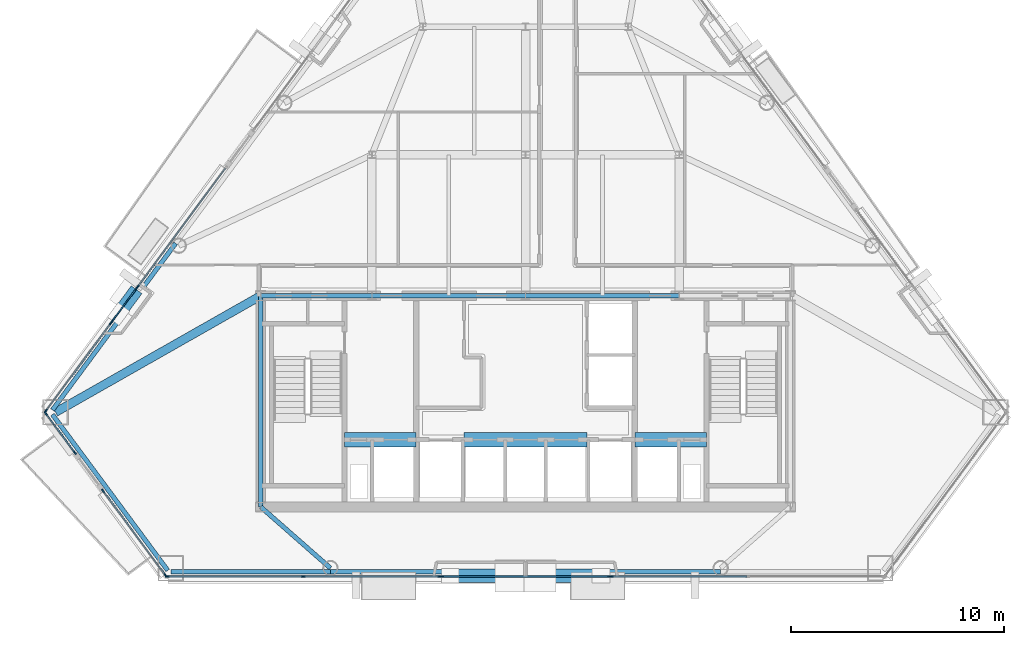
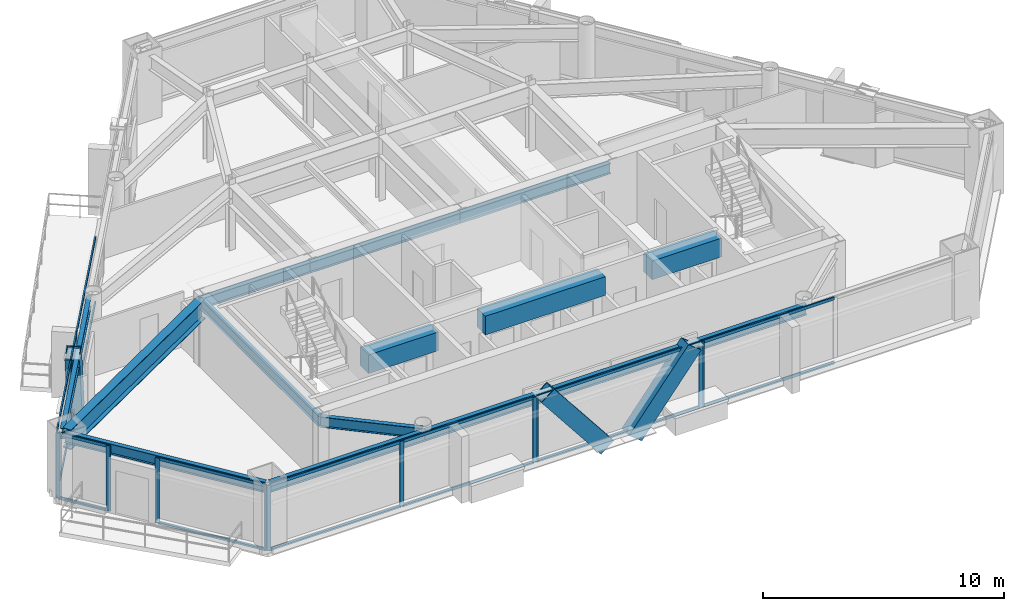
# One storey, part 3 of 11: 36 members, 13 beams, 8 elements without a shape of their own.
"""IFC4 building model written with IfcOpenShell, lengths in metres."""

from ifc_helpers import new_model, si_unit, direction, frame, origin, origin_2d, place, context, subcontext, project, spatial, rectangle, hollow_rectangle, i_section, extrude, material, layer, layer_set, material_profile, profile_set, type_object, element, aggregate, save


model = new_model("IFC4")

# Units and contexts
model_context = context("Model", 3, precision=1e-05, world=origin(), true_north=direction((0.0, 1.0)))
body_context = subcontext(model_context, "Body", "Model", "MODEL_VIEW")
ifc_project = project(units=[si_unit("LENGTHUNIT", "METRE"), si_unit("AREAUNIT", "SQUARE_METRE"), si_unit("VOLUMEUNIT", "CUBIC_METRE"), si_unit("PLANEANGLEUNIT", "RADIAN"), si_unit("MASSUNIT", "GRAM", prefix="KILO")], contexts=[model_context])

# Site, building, storey
site_placement = place(None, origin())
site = spatial("IfcSite", under=ifc_project, at=site_placement, CompositionType="ELEMENT")
building_placement = place(site_placement, origin())
building = spatial("IfcBuilding", under=site, at=building_placement, Name="Talgorran Terracotta Tower", CompositionType="ELEMENT")
storey_placement = place(building_placement, frame((0.0, 0.0, 114.0)))
storey = spatial("IfcBuildingStorey", under=building, at=storey_placement, Name="L29", CompositionType="ELEMENT", Elevation=114.0)

# Beams
ifc_material_1 = material(Name="Steel Grade 350 (350L0)", Category="steel")
ifc_material_profile_1 = material_profile(ifc_material_1, i_section(OverallWidth=0.39990234375, OverallDepth=1.0, WebThickness=0.01611328125, FlangeThickness=0.031005859375, at=origin_2d()), Name="1000WB296")
ifc_profile_set_1 = profile_set([ifc_material_profile_1], Name="Steel Grade 350 (350L0)")
beam_type_1 = type_object("IfcBeamType", Name="BM_1000WB296", PredefinedType="BEAM", material=ifc_profile_set_1)
beam_1_placement = place(storey_placement, frame((-12.39990234375, -4.199951171875, 2.820068359375), z_axis=(-0.869581927132, -0.493788691654, 0.0), x_axis=(0.493788691654, -0.869581927132, 0.0)))
element("IfcBeam", 1, at=beam_1_placement, inside=storey, type_object=beam_type_1, Name="L29 Floor Girder G17", PredefinedType="BEAM", context=body_context, shape_type="SweptSolid", body=[
    extrude(i_section(OverallWidth=0.39990234375, OverallDepth=1.0, WebThickness=0.01611328125, FlangeThickness=0.031005859375, at=origin_2d()), origin(), (0.0, 0.0, 1.0), 11.061279296875),
])
ifc_material_2 = material(Name="Concrete C65/80", Category="concrete")
ifc_material_profile_2 = material_profile(ifc_material_2, rectangle(XDim=0.699951171875, YDim=0.949951171875, at=origin_2d()), Name="RCCB700X950")
ifc_profile_set_2 = profile_set([ifc_material_profile_2], Name="Concrete C65/80")
beam_type_2 = type_object("IfcBeamType", Name="BM_CB_700X950", PredefinedType="LINTEL", material=ifc_profile_set_2)
beam_2_placement = place(storey_placement, frame((-8.47998046875, -10.949951171875, 2.844970703125), z_axis=(1.0, 0.0, 0.0), x_axis=(0.0, 1.0, 0.0)))
element("IfcBeam", 2, at=beam_2_placement, inside=storey, type_object=beam_type_2, Name="L29 Core Shear-Wall Coupling Beam CB1", PredefinedType="LINTEL", context=body_context, shape_type="SweptSolid", body=[
    extrude(rectangle(XDim=0.699951171875, YDim=0.949951171875, at=origin_2d()), origin(), (0.0, 0.0, 1.0), 3.35986328125),
])
beam_3_placement = place(storey_placement, frame((-2.8798828125, -10.949951171875, 2.844970703125), z_axis=(1.0, 0.0, 0.0), x_axis=(0.0, 1.0, 0.0)))
element("IfcBeam", 3, at=beam_3_placement, inside=storey, type_object=beam_type_2, Name="L29 Core Shear-Wall Coupling Beam CB2", PredefinedType="LINTEL", context=body_context, shape_type="SweptSolid", body=[
    extrude(rectangle(XDim=0.699951171875, YDim=0.949951171875, at=origin_2d()), origin(), (0.0, 0.0, 1.0), 5.759765625),
])
beam_4_placement = place(storey_placement, frame((5.1201171875, -10.949951171875, 2.844970703125), z_axis=(1.0, 0.0, 0.0), x_axis=(0.0, 1.0, 0.0)))
element("IfcBeam", 4, at=beam_4_placement, inside=storey, type_object=beam_type_2, Name="L29 Core Shear-Wall Coupling Beam CB3", PredefinedType="LINTEL", context=body_context, shape_type="SweptSolid", body=[
    extrude(rectangle(XDim=0.699951171875, YDim=0.949951171875, at=origin_2d()), origin(), (0.0, 0.0, 1.0), 3.35986328125),
])
ifc_material_3 = material(Name="Steel S355 (300PLUS)", Category="steel")
ifc_material_profile_3 = material_profile(ifc_material_3, i_section(OverallWidth=0.209228515625, OverallDepth=0.532958984375, WebThickness=0.01025390625, FlangeThickness=0.015625, at=origin_2d()), Name="530UB92.4")
ifc_profile_set_3 = profile_set([ifc_material_profile_3], Name="Steel S355 (300PLUS)")
beam_type_3 = type_object("IfcBeamType", Name="BM_SP_530UB92", PredefinedType="SPANDREL", material=ifc_profile_set_3)
beam_5_placement = place(storey_placement, frame((-22.1630859375, -9.768798828125, 3.053466796875), z_axis=(0.594631406603, -0.803998439228, 0.0), x_axis=(0.803998439228, 0.594631406603, 0.0)))
element("IfcBeam", 5, at=beam_5_placement, inside=storey, type_object=beam_type_3, Name="L29 Perimeter Spandrel Beam MC1-MC2", PredefinedType="SPANDREL", context=body_context, shape_type="SweptSolid", body=[
    extrude(i_section(OverallWidth=0.209228515625, OverallDepth=0.532958984375, WebThickness=0.01025390625, FlangeThickness=0.015625, at=origin_2d()), origin(), (0.0, 0.0, 1.0), 9.08154296875),
])
beam_6_placement = place(storey_placement, frame((-16.618408203125, -17.143310546875, 3.053466796875), z_axis=(1.0, 0.0, 0.0), x_axis=(0.0, 1.0, 0.0)))
element("IfcBeam", 6, at=beam_6_placement, inside=storey, type_object=beam_type_3, Name="L29 Perimeter Spandrel Beam MC2-FC1", PredefinedType="SPANDREL", context=body_context, shape_type="SweptSolid", body=[
    extrude(i_section(OverallWidth=0.209228515625, OverallDepth=0.532958984375, WebThickness=0.01025390625, FlangeThickness=0.015625, at=origin_2d()), origin(), (0.0, 0.0, 1.0), 7.478271484375),
])
beam_7_placement = place(storey_placement, frame((-9.14013671875, -17.143310546875, 3.053466796875), z_axis=(1.0, 0.0, 0.0), x_axis=(0.0, 1.0, 0.0)))
element("IfcBeam", 7, at=beam_7_placement, inside=storey, type_object=beam_type_3, Name="L29 Perimeter Spandrel Beam FC1-FC2", PredefinedType="SPANDREL", context=body_context, shape_type="SweptSolid", body=[
    extrude(i_section(OverallWidth=0.209228515625, OverallDepth=0.532958984375, WebThickness=0.01025390625, FlangeThickness=0.015625, at=origin_2d()), origin(), (0.0, 0.0, 1.0), 18.2802734375),
])
beam_8_placement = place(storey_placement, frame((-16.3896484375, -1.74853515625, 3.053466796875), z_axis=(-0.594623640759, -0.804004182732, 0.0), x_axis=(0.804004182732, -0.594623640759, 0.0)))
element("IfcBeam", 8, at=beam_8_placement, inside=storey, type_object=beam_type_3, Name="L29 Perimeter Spandrel Beam FC6-MC1", PredefinedType="SPANDREL", context=body_context, shape_type="SweptSolid", body=[
    extrude(i_section(OverallWidth=0.209228515625, OverallDepth=0.532958984375, WebThickness=0.01025390625, FlangeThickness=0.015625, at=origin_2d()), origin(), (0.0, 0.0, 1.0), 9.70947265625),
])
beam_9_placement = place(storey_placement, frame((-9.14013671875, -16.96337890625, 3.053466796875), z_axis=(-0.751320451725, 0.659937556758, 0.0), x_axis=(-0.659937556758, -0.751320451725, 0.0)))
element("IfcBeam", 9, at=beam_9_placement, inside=storey, type_object=beam_type_3, Name="L29 South-West Core Tie Beam", PredefinedType="SPANDREL", context=body_context, shape_type="SweptSolid", body=[
    extrude(i_section(OverallWidth=0.209228515625, OverallDepth=0.532958984375, WebThickness=0.01025390625, FlangeThickness=0.015625, at=origin_2d()), origin(), (0.0, 0.0, 1.0), 4.338623046875),
])
beam_10_placement = place(storey_placement, frame((-12.39990234375, -14.10009765625, 3.053466796875), z_axis=(0.0, 1.0, 0.0), x_axis=(-1.0, 0.0, 0.0)))
element("IfcBeam", 10, at=beam_10_placement, inside=storey, type_object=beam_type_3, Name="L29 Core Frame Beam CFW", PredefinedType="SPANDREL", context=body_context, shape_type="SweptSolid", body=[
    extrude(i_section(OverallWidth=0.209228515625, OverallDepth=0.532958984375, WebThickness=0.01025390625, FlangeThickness=0.015625, at=origin_2d()), origin(), (0.0, 0.0, 1.0), 9.900146484375),
])
beam_11_placement = place(storey_placement, frame((-12.39990234375, -4.199951171875, 3.053466796875), z_axis=(1.0, 0.0, 0.0), x_axis=(0.0, 1.0, 0.0)))
element("IfcBeam", 11, at=beam_11_placement, inside=storey, type_object=beam_type_3, Name="L29 Core Frame Beam CFN1", PredefinedType="SPANDREL", context=body_context, shape_type="SweptSolid", body=[
    extrude(i_section(OverallWidth=0.209228515625, OverallDepth=0.532958984375, WebThickness=0.01025390625, FlangeThickness=0.015625, at=origin_2d()), origin(), (0.0, 0.0, 1.0), 5.199951171875),
])
for number, where, z_axis, x_axis, name in (
    (12, (-7.199951171875, -4.199951171875, 3.053466796875), (1.0, 0.0, 0.0), (0.0, 1.0, 0.0), "L29 Core Frame Beam CFN2"),
    (13, (0.0, -4.199951171875, 3.053466796875), (1.0, 0.0, 0.0), (0.0, 1.0, 0.0), "L29 Core Frame Beam CFN3"),
):
    element("IfcBeam", number, at=place(storey_placement, frame(where, z_axis=z_axis, x_axis=x_axis)), inside=storey, type_object=beam_type_3, Name=name, PredefinedType="SPANDREL", context=body_context, shape_type="SweptSolid", body=[
        extrude(i_section(OverallWidth=0.209228515625, OverallDepth=0.532958984375, WebThickness=0.01025390625, FlangeThickness=0.015625, at=origin_2d()), origin(), (0.0, 0.0, 1.0), 7.199951171875),
    ])

# Members
ifc_material_profile_4 = material_profile(ifc_material_1, hollow_rectangle(XDim=0.6201171875, YDim=0.780029296875, WallThickness=0.0419921875, at=origin_2d()), Name="WBOX780X620X42")
ifc_profile_set_4 = profile_set([ifc_material_profile_4], Name="Steel Grade 350 (350L0)")
member_type_1 = type_object("IfcMemberType", Name="MB_MEGA_780", PredefinedType="BRACE", material=ifc_profile_set_4)
for number, where, z_axis, x_axis, name in (
    (14, (-0.672119140625, -17.3232421875, -0.27001953125), (-0.619914010689, 0.0, 0.784669751776), (0.0, -1.0, 0.0), "L29 Exterior Face Mega-Brace MB-2 (SWF)"),
    (15, (0.672119140625, -17.3232421875, -0.27001953125), (0.619914010689, 0.0, 0.784669751776), (0.0, 1.0, 0.0), "L29 Exterior Face Mega-Brace MB-2 (SEF)"),
):
    element("IfcMember", number, at=place(storey_placement, frame(where, z_axis=z_axis, x_axis=x_axis)), inside=storey, type_object=member_type_1, Name=name, PredefinedType="BRACE", context=body_context, shape_type="SweptSolid", body=[
        extrude(hollow_rectangle(XDim=0.6201171875, YDim=0.780029296875, WallThickness=0.0419921875, at=origin_2d()), origin(), (0.0, 0.0, 1.0), 4.60693359375),
    ])
member_1_placement = place(storey_placement, frame((-18.443359375, -4.22265625, -0.27001953125), z_axis=(-0.164883141655, -0.222829086361, 0.960812545645), x_axis=(0.803859807908, -0.594818803696, 0.0)))
element("IfcMember", 16, at=member_1_placement, inside=storey, type_object=member_type_1, Name="L29 Exterior Face Mega-Brace MB-2 (NWL)", PredefinedType="BRACE", context=body_context, shape_type="SweptSolid", body=[
    extrude(hollow_rectangle(XDim=0.6201171875, YDim=0.780029296875, WallThickness=0.0419921875, at=origin_2d()), origin(), (0.0, 0.0, 1.0), 3.762451171875),
])

# Curtain wall, members
ifc_material_4 = material(Name="Unitised Low-E Double Glazing", Category="glass")
ifc_layer = layer(ifc_material_4, 0.199951171875, Name="CW_SYS2_RES_LOW")
ifc_layer_set = layer_set([ifc_layer], Name="Unitised Low-E Double Glazing")
curtain_wall_type = type_object("IfcCurtainWallType", Name="CW_SYS2_RES_LOW", PredefinedType="NOTDEFINED", material=ifc_layer_set)
curtain_wall_1_placement = place(storey_placement, origin())
curtain_wall_1 = element("IfcCurtainWall", 17, at=curtain_wall_1_placement, inside=storey, type_object=curtain_wall_type, Name="CW-L29-F10", PredefinedType="NOTDEFINED")
ifc_material_5 = material(Name="Architectural Aluminium 6063-T6", Category="aluminium")
ifc_material_profile_5 = material_profile(ifc_material_5, rectangle(XDim=0.06494140625, YDim=0.18505859375, at=origin_2d()), Name="CWM65X185")
ifc_profile_set_5 = profile_set([ifc_material_profile_5], Name="Architectural Aluminium 6063-T6")
member_type_2 = type_object("IfcMemberType", Name="MUL_65X185", PredefinedType="MULLION", material=ifc_profile_set_5)
member_2_placement = place(storey_placement, frame((-22.472900390625, -9.72021484375, 0.0), z_axis=(0.0, 0.0, 1.0), x_axis=(0.803984869726, 0.594649753428, 0.0)))
member_2 = element("IfcMember", 18, at=member_2_placement, type_object=member_type_2, Name="CW-L29-10 mullion 1", PredefinedType="MULLION", context=body_context, shape_type="SweptSolid", body=[
    extrude(rectangle(XDim=0.06494140625, YDim=0.18505859375, at=origin_2d()), origin(), (0.0, 0.0, 1.0), 3.320068359375),
])
member_3_placement = place(storey_placement, frame((-21.11572265625, -11.55517578125, 0.0), z_axis=(0.0, 0.0, 1.0), x_axis=(0.803984869726, 0.594649753428, 0.0)))
member_3 = element("IfcMember", 19, at=member_3_placement, type_object=member_type_2, Name="CW-L29-10 mullion 2", PredefinedType="MULLION", context=body_context, shape_type="SweptSolid", body=[
    extrude(rectangle(XDim=0.06494140625, YDim=0.18505859375, at=origin_2d()), origin(), (0.0, 0.0, 1.0), 3.320068359375),
])

curtain_wall_2_placement = place(storey_placement, origin())
curtain_wall_2 = element("IfcCurtainWall", 20, at=curtain_wall_2_placement, inside=storey, type_object=curtain_wall_type, Name="CW-L29-F11", PredefinedType="NOTDEFINED")
member_4_placement = place(storey_placement, frame((-19.79248046875, -13.34423828125, 0.0), z_axis=(0.0, 0.0, 1.0), x_axis=(0.803987486972, 0.594646214814, 0.0)))
member_4 = element("IfcMember", 21, at=member_4_placement, type_object=member_type_2, Name="CW-L29-11 mullion 1", PredefinedType="MULLION", context=body_context, shape_type="SweptSolid", body=[
    extrude(rectangle(XDim=0.06494140625, YDim=0.18505859375, at=origin_2d()), origin(), (0.0, 0.0, 1.0), 3.320068359375),
])
member_5_placement = place(storey_placement, frame((-16.863037109375, -17.304931640625, 0.0), z_axis=(0.0, 0.0, 1.0), x_axis=(0.803987486972, 0.594646214814, 0.0)))
member_5 = element("IfcMember", 22, at=member_5_placement, type_object=member_type_2, Name="CW-L29-11 mullion 2", PredefinedType="MULLION", context=body_context, shape_type="SweptSolid", body=[
    extrude(rectangle(XDim=0.06494140625, YDim=0.18505859375, at=origin_2d()), origin(), (0.0, 0.0, 1.0), 3.320068359375),
])

curtain_wall_3_placement = place(storey_placement, origin())
curtain_wall_3 = element("IfcCurtainWall", 23, at=curtain_wall_3_placement, inside=storey, type_object=curtain_wall_type, Name="CW-L29-F1", PredefinedType="NOTDEFINED")
member_6_placement = place(storey_placement, frame((-16.78759765625, -17.36328125, 0.0), z_axis=(0.0, 0.0, 1.0), x_axis=(0.0, 1.0, 0.0)))
member_6 = element("IfcMember", 24, at=member_6_placement, type_object=member_type_2, Name="CW-L29-1 mullion 1", PredefinedType="MULLION", context=body_context, shape_type="SweptSolid", body=[
    extrude(rectangle(XDim=0.06494140625, YDim=0.18505859375, at=origin_2d()), origin(), (0.0, 0.0, 1.0), 3.320068359375),
])
member_7_placement = place(storey_placement, frame((-10.404541015625, -17.36328125, 0.0), z_axis=(0.0, 0.0, 1.0), x_axis=(0.0, 1.0, 0.0)))
member_7 = element("IfcMember", 25, at=member_7_placement, type_object=member_type_2, Name="CW-L29-1 mullion 2", PredefinedType="MULLION", context=body_context, shape_type="SweptSolid", body=[
    extrude(rectangle(XDim=0.06494140625, YDim=0.18505859375, at=origin_2d()), origin(), (0.0, 0.0, 1.0), 3.320068359375),
])
member_8_placement = place(storey_placement, frame((-4.021484375, -17.36328125, 0.0), z_axis=(0.0, 0.0, 1.0), x_axis=(0.0, 1.0, 0.0)))
member_8 = element("IfcMember", 26, at=member_8_placement, type_object=member_type_2, Name="CW-L29-1 mullion 3", PredefinedType="MULLION", context=body_context, shape_type="SweptSolid", body=[
    extrude(rectangle(XDim=0.06494140625, YDim=0.18505859375, at=origin_2d()), origin(), (0.0, 0.0, 1.0), 3.320068359375),
])

curtain_wall_4_placement = place(storey_placement, origin())
curtain_wall_4 = element("IfcCurtainWall", 27, at=curtain_wall_4_placement, inside=storey, type_object=curtain_wall_type, Name="CW-L29-F1B", PredefinedType="NOTDEFINED")
member_9_placement = place(storey_placement, frame((-3.946533203125, -17.36328125, 0.0), z_axis=(0.0, 0.0, 1.0), x_axis=(0.0, 1.0, 0.0)))
member_9 = element("IfcMember", 28, at=member_9_placement, type_object=member_type_2, Name="CW-L29-1B mullion 1", PredefinedType="MULLION", context=body_context, shape_type="SweptSolid", body=[
    extrude(rectangle(XDim=0.06494140625, YDim=0.18505859375, at=origin_2d()), origin(), (0.0, 0.0, 1.0), 3.320068359375),
])
member_10_placement = place(storey_placement, frame((3.946533203125, -17.36328125, 0.0), z_axis=(0.0, 0.0, 1.0), x_axis=(0.0, 1.0, 0.0)))
member_10 = element("IfcMember", 29, at=member_10_placement, type_object=member_type_2, Name="CW-L29-1B mullion 2", PredefinedType="MULLION", context=body_context, shape_type="SweptSolid", body=[
    extrude(rectangle(XDim=0.06494140625, YDim=0.18505859375, at=origin_2d()), origin(), (0.0, 0.0, 1.0), 3.320068359375),
])

# Curtain wall, member
curtain_wall_5_placement = place(storey_placement, origin())
curtain_wall_5 = element("IfcCurtainWall", 30, at=curtain_wall_5_placement, inside=storey, type_object=curtain_wall_type, Name="CW-L29-F1C", PredefinedType="NOTDEFINED")
member_11_placement = place(storey_placement, frame((4.021484375, -17.36328125, 0.0), z_axis=(0.0, 0.0, 1.0), x_axis=(0.0, 1.0, 0.0)))
member_11 = element("IfcMember", 31, at=member_11_placement, type_object=member_type_2, Name="CW-L29-1C mullion 1", PredefinedType="MULLION", context=body_context, shape_type="SweptSolid", body=[
    extrude(rectangle(XDim=0.06494140625, YDim=0.18505859375, at=origin_2d()), origin(), (0.0, 0.0, 1.0), 3.320068359375),
])

curtain_wall_6_placement = place(storey_placement, origin())
curtain_wall_6 = element("IfcCurtainWall", 32, at=curtain_wall_6_placement, inside=storey, type_object=curtain_wall_type, Name="CW-L29-F61", PredefinedType="NOTDEFINED")
member_12_placement = place(storey_placement, frame((-18.1689453125, -3.7841796875, 0.0), z_axis=(0.0, 0.0, 1.0), x_axis=(0.803995431668, -0.59463547309, 0.0)))
member_12 = element("IfcMember", 33, at=member_12_placement, type_object=member_type_2, Name="CW-L29-61 mullion 2", PredefinedType="MULLION", context=body_context, shape_type="SweptSolid", body=[
    extrude(rectangle(XDim=0.06494140625, YDim=0.18505859375, at=origin_2d()), origin(), (0.0, 0.0, 1.0), 3.320068359375),
])

# Curtain wall, members
curtain_wall_7_placement = place(storey_placement, origin())
curtain_wall_7 = element("IfcCurtainWall", 34, at=curtain_wall_7_placement, inside=storey, type_object=curtain_wall_type, Name="CW-L29-F61B", PredefinedType="NOTDEFINED")
member_13_placement = place(storey_placement, frame((-18.213623046875, -3.8447265625, 0.0), z_axis=(0.0, 0.0, 1.0), x_axis=(0.803972942523, -0.594665879037, 0.0)))
member_13 = element("IfcMember", 35, at=member_13_placement, type_object=member_type_2, Name="CW-L29-61B mullion 1", PredefinedType="MULLION", context=body_context, shape_type="SweptSolid", body=[
    extrude(rectangle(XDim=0.06494140625, YDim=0.18505859375, at=origin_2d()), origin(), (0.0, 0.0, 1.0), 3.320068359375),
])
member_14_placement = place(storey_placement, frame((-19.385498046875, -5.428955078125, 0.0), z_axis=(0.0, 0.0, 1.0), x_axis=(0.803972942523, -0.594665879037, 0.0)))
member_14 = element("IfcMember", 36, at=member_14_placement, type_object=member_type_2, Name="CW-L29-61B mullion 2", PredefinedType="MULLION", context=body_context, shape_type="SweptSolid", body=[
    extrude(rectangle(XDim=0.06494140625, YDim=0.18505859375, at=origin_2d()), origin(), (0.0, 0.0, 1.0), 3.320068359375),
])

curtain_wall_8_placement = place(storey_placement, origin())
curtain_wall_8 = element("IfcCurtainWall", 37, at=curtain_wall_8_placement, inside=storey, type_object=curtain_wall_type, Name="CW-L29-F61C", PredefinedType="NOTDEFINED")
member_15_placement = place(storey_placement, frame((-19.429931640625, -5.489501953125, 0.0), z_axis=(0.0, 0.0, 1.0), x_axis=(0.803992828325, -0.594638993005, 0.0)))
member_15 = element("IfcMember", 38, at=member_15_placement, type_object=member_type_2, Name="CW-L29-61C mullion 1", PredefinedType="MULLION", context=body_context, shape_type="SweptSolid", body=[
    extrude(rectangle(XDim=0.06494140625, YDim=0.18505859375, at=origin_2d()), origin(), (0.0, 0.0, 1.0), 3.320068359375),
])
member_16_placement = place(storey_placement, frame((-22.472900390625, -9.603515625, 0.0), z_axis=(0.0, 0.0, 1.0), x_axis=(0.803992828325, -0.594638993005, 0.0)))
member_16 = element("IfcMember", 39, at=member_16_placement, type_object=member_type_2, Name="CW-L29-61C mullion 2", PredefinedType="MULLION", context=body_context, shape_type="SweptSolid", body=[
    extrude(rectangle(XDim=0.06494140625, YDim=0.18505859375, at=origin_2d()), origin(), (0.0, 0.0, 1.0), 3.320068359375),
])

# Member
ifc_material_profile_6 = material_profile(ifc_material_5, rectangle(XDim=0.06494140625, YDim=0.14990234375, at=origin_2d()), Name="CWT65X150")
ifc_profile_set_6 = profile_set([ifc_material_profile_6], Name="Architectural Aluminium 6063-T6")
member_type_3 = type_object("IfcMemberType", Name="TRN_65X150", PredefinedType="USERDEFINED", material=ifc_profile_set_6)
member_17_placement = place(storey_placement, frame((-22.45361328125, -9.746337890625, 0.032470703125), z_axis=(0.594666553013, -0.80397244401, 0.0), x_axis=(0.80397244401, 0.594666553013, 0.0)))
member_17 = element("IfcMember", 40, at=member_17_placement, type_object=member_type_3, Name="CW-L29-10 transom 1.1", ObjectType="TRANSOM", PredefinedType="USERDEFINED", context=body_context, shape_type="SweptSolid", body=[
    extrude(rectangle(XDim=0.06494140625, YDim=0.14990234375, at=origin_2d()), origin(), (0.0, 0.0, 1.0), 2.21728515625),
])

member_18_placement = place(storey_placement, frame((-22.45361328125, -9.746337890625, 3.28759765625), z_axis=(0.594666553013, -0.80397244401, 0.0), x_axis=(0.80397244401, 0.594666553013, 0.0)))
member_18 = element("IfcMember", 41, at=member_18_placement, type_object=member_type_3, Name="CW-L29-10 transom 1.2", ObjectType="TRANSOM", PredefinedType="USERDEFINED", context=body_context, shape_type="SweptSolid", body=[
    extrude(rectangle(XDim=0.06494140625, YDim=0.14990234375, at=origin_2d()), origin(), (0.0, 0.0, 1.0), 2.21728515625),
])

aggregate(curtain_wall_1, [member_2, member_3, member_17, member_18])

member_19_placement = place(storey_placement, frame((-19.773193359375, -13.370361328125, 0.032470703125), z_axis=(0.594626857257, -0.804001803871, 0.0), x_axis=(0.804001803871, 0.594626857257, 0.0)))
member_19 = element("IfcMember", 42, at=member_19_placement, type_object=member_type_3, Name="CW-L29-11 transom 1.1", ObjectType="TRANSOM", PredefinedType="USERDEFINED", context=body_context, shape_type="SweptSolid", body=[
    extrude(rectangle(XDim=0.06494140625, YDim=0.14990234375, at=origin_2d()), origin(), (0.0, 0.0, 1.0), 4.861328125),
])

member_20_placement = place(storey_placement, frame((-19.773193359375, -13.370361328125, 3.28759765625), z_axis=(0.594626857257, -0.804001803871, 0.0), x_axis=(0.804001803871, 0.594626857257, 0.0)))
member_20 = element("IfcMember", 43, at=member_20_placement, type_object=member_type_3, Name="CW-L29-11 transom 1.2", ObjectType="TRANSOM", PredefinedType="USERDEFINED", context=body_context, shape_type="SweptSolid", body=[
    extrude(rectangle(XDim=0.06494140625, YDim=0.14990234375, at=origin_2d()), origin(), (0.0, 0.0, 1.0), 4.861328125),
])

aggregate(curtain_wall_2, [member_4, member_5, member_19, member_20])

member_21_placement = place(storey_placement, frame((-16.7548828125, -17.36328125, 0.032470703125), z_axis=(1.0, 0.0, 0.0), x_axis=(0.0, 1.0, 0.0)))
member_21 = element("IfcMember", 44, at=member_21_placement, type_object=member_type_3, Name="CW-L29-1 transom 1.1", ObjectType="TRANSOM", PredefinedType="USERDEFINED", context=body_context, shape_type="SweptSolid", body=[
    extrude(rectangle(XDim=0.06494140625, YDim=0.14990234375, at=origin_2d()), origin(), (0.0, 0.0, 1.0), 6.31787109375),
])

member_22_placement = place(storey_placement, frame((-16.7548828125, -17.36328125, 3.28759765625), z_axis=(1.0, 0.0, 0.0), x_axis=(0.0, 1.0, 0.0)))
member_22 = element("IfcMember", 45, at=member_22_placement, type_object=member_type_3, Name="CW-L29-1 transom 1.2", ObjectType="TRANSOM", PredefinedType="USERDEFINED", context=body_context, shape_type="SweptSolid", body=[
    extrude(rectangle(XDim=0.06494140625, YDim=0.14990234375, at=origin_2d()), origin(), (0.0, 0.0, 1.0), 6.31787109375),
])

member_23_placement = place(storey_placement, frame((-10.3720703125, -17.36328125, 0.032470703125), z_axis=(1.0, 0.0, 0.0), x_axis=(0.0, 1.0, 0.0)))
member_23 = element("IfcMember", 46, at=member_23_placement, type_object=member_type_3, Name="CW-L29-1 transom 2.1", ObjectType="TRANSOM", PredefinedType="USERDEFINED", context=body_context, shape_type="SweptSolid", body=[
    extrude(rectangle(XDim=0.06494140625, YDim=0.14990234375, at=origin_2d()), origin(), (0.0, 0.0, 1.0), 6.318115234375),
])

member_24_placement = place(storey_placement, frame((-10.3720703125, -17.36328125, 3.28759765625), z_axis=(1.0, 0.0, 0.0), x_axis=(0.0, 1.0, 0.0)))
member_24 = element("IfcMember", 47, at=member_24_placement, type_object=member_type_3, Name="CW-L29-1 transom 2.2", ObjectType="TRANSOM", PredefinedType="USERDEFINED", context=body_context, shape_type="SweptSolid", body=[
    extrude(rectangle(XDim=0.06494140625, YDim=0.14990234375, at=origin_2d()), origin(), (0.0, 0.0, 1.0), 6.318115234375),
])

aggregate(curtain_wall_3, [member_6, member_7, member_8, member_21, member_22, member_23, member_24])

member_25_placement = place(storey_placement, frame((-3.9140625, -17.36328125, 0.032470703125), z_axis=(1.0, 0.0, 0.0), x_axis=(0.0, 1.0, 0.0)))
member_25 = element("IfcMember", 48, at=member_25_placement, type_object=member_type_3, Name="CW-L29-1B transom 1.1", ObjectType="TRANSOM", PredefinedType="USERDEFINED", context=body_context, shape_type="SweptSolid", body=[
    extrude(rectangle(XDim=0.06494140625, YDim=0.14990234375, at=origin_2d()), origin(), (0.0, 0.0, 1.0), 7.828125),
])

member_26_placement = place(storey_placement, frame((-3.9140625, -17.36328125, 3.28759765625), z_axis=(1.0, 0.0, 0.0), x_axis=(0.0, 1.0, 0.0)))
member_26 = element("IfcMember", 49, at=member_26_placement, type_object=member_type_3, Name="CW-L29-1B transom 1.2", ObjectType="TRANSOM", PredefinedType="USERDEFINED", context=body_context, shape_type="SweptSolid", body=[
    extrude(rectangle(XDim=0.06494140625, YDim=0.14990234375, at=origin_2d()), origin(), (0.0, 0.0, 1.0), 7.828125),
])

aggregate(curtain_wall_4, [member_9, member_10, member_25, member_26])

member_27_placement = place(storey_placement, frame((4.053955078125, -17.36328125, 0.032470703125), z_axis=(1.0, 0.0, 0.0), x_axis=(0.0, 1.0, 0.0)))
member_27 = element("IfcMember", 50, at=member_27_placement, type_object=member_type_3, Name="CW-L29-1C transom 1.1", ObjectType="TRANSOM", PredefinedType="USERDEFINED", context=body_context, shape_type="SweptSolid", body=[
    extrude(rectangle(XDim=0.06494140625, YDim=0.14990234375, at=origin_2d()), origin(), (0.0, 0.0, 1.0), 6.318115234375),
])

member_28_placement = place(storey_placement, frame((4.053955078125, -17.36328125, 3.28759765625), z_axis=(1.0, 0.0, 0.0), x_axis=(0.0, 1.0, 0.0)))
member_28 = element("IfcMember", 51, at=member_28_placement, type_object=member_type_3, Name="CW-L29-1C transom 1.2", ObjectType="TRANSOM", PredefinedType="USERDEFINED", context=body_context, shape_type="SweptSolid", body=[
    extrude(rectangle(XDim=0.06494140625, YDim=0.14990234375, at=origin_2d()), origin(), (0.0, 0.0, 1.0), 6.318115234375),
])

aggregate(curtain_wall_5, [member_11, member_27, member_28])

member_29_placement = place(storey_placement, frame((-14.068115234375, 1.76025390625, 0.032470703125), z_axis=(-0.594654062356, -0.803981682704, 0.0), x_axis=(0.803981682704, -0.594654062356, 0.0)))
member_29 = element("IfcMember", 52, at=member_29_placement, type_object=member_type_3, Name="CW-L29-61 transom 1.1", ObjectType="TRANSOM", PredefinedType="USERDEFINED", context=body_context, shape_type="SweptSolid", body=[
    extrude(rectangle(XDim=0.06494140625, YDim=0.14990234375, at=origin_2d()), origin(), (0.0, 0.0, 1.0), 6.86376953125),
])

member_30_placement = place(storey_placement, frame((-14.068115234375, 1.76025390625, 3.28759765625), z_axis=(-0.594654062356, -0.803981682704, 0.0), x_axis=(0.803981682704, -0.594654062356, 0.0)))
member_30 = element("IfcMember", 53, at=member_30_placement, type_object=member_type_3, Name="CW-L29-61 transom 1.2", ObjectType="TRANSOM", PredefinedType="USERDEFINED", context=body_context, shape_type="SweptSolid", body=[
    extrude(rectangle(XDim=0.06494140625, YDim=0.14990234375, at=origin_2d()), origin(), (0.0, 0.0, 1.0), 6.86376953125),
])

aggregate(curtain_wall_6, [member_12, member_29, member_30])

member_31_placement = place(storey_placement, frame((-18.23291015625, -3.870849609375, 0.032470703125), z_axis=(-0.594718821907, -0.803933780152, 0.0), x_axis=(0.803933780152, -0.594718821907, 0.0)))
member_31 = element("IfcMember", 54, at=member_31_placement, type_object=member_type_3, Name="CW-L29-61B transom 1.1", ObjectType="TRANSOM", PredefinedType="USERDEFINED", context=body_context, shape_type="SweptSolid", body=[
    extrude(rectangle(XDim=0.06494140625, YDim=0.14990234375, at=origin_2d()), origin(), (0.0, 0.0, 1.0), 1.905517578125),
])

member_32_placement = place(storey_placement, frame((-18.23291015625, -3.870849609375, 3.28759765625), z_axis=(-0.594718821907, -0.803933780152, 0.0), x_axis=(0.803933780152, -0.594718821907, 0.0)))
member_32 = element("IfcMember", 55, at=member_32_placement, type_object=member_type_3, Name="CW-L29-61B transom 1.2", ObjectType="TRANSOM", PredefinedType="USERDEFINED", context=body_context, shape_type="SweptSolid", body=[
    extrude(rectangle(XDim=0.06494140625, YDim=0.14990234375, at=origin_2d()), origin(), (0.0, 0.0, 1.0), 1.905517578125),
])

aggregate(curtain_wall_7, [member_13, member_14, member_31, member_32])

member_33_placement = place(storey_placement, frame((-19.449462890625, -5.515625, 0.032470703125), z_axis=(-0.594643765181, -0.803989298766, 0.0), x_axis=(0.803989298766, -0.594643765181, 0.0)))
member_33 = element("IfcMember", 56, at=member_33_placement, type_object=member_type_3, Name="CW-L29-61C transom 1.1", ObjectType="TRANSOM", PredefinedType="USERDEFINED", context=body_context, shape_type="SweptSolid", body=[
    extrude(rectangle(XDim=0.06494140625, YDim=0.14990234375, at=origin_2d()), origin(), (0.0, 0.0, 1.0), 5.052001953125),
])

member_34_placement = place(storey_placement, frame((-19.449462890625, -5.515625, 3.28759765625), z_axis=(-0.594643765181, -0.803989298766, 0.0), x_axis=(0.803989298766, -0.594643765181, 0.0)))
member_34 = element("IfcMember", 57, at=member_34_placement, type_object=member_type_3, Name="CW-L29-61C transom 1.2", ObjectType="TRANSOM", PredefinedType="USERDEFINED", context=body_context, shape_type="SweptSolid", body=[
    extrude(rectangle(XDim=0.06494140625, YDim=0.14990234375, at=origin_2d()), origin(), (0.0, 0.0, 1.0), 5.052001953125),
])

aggregate(curtain_wall_8, [member_15, member_16, member_33, member_34])

save(model, "model.ifc")
